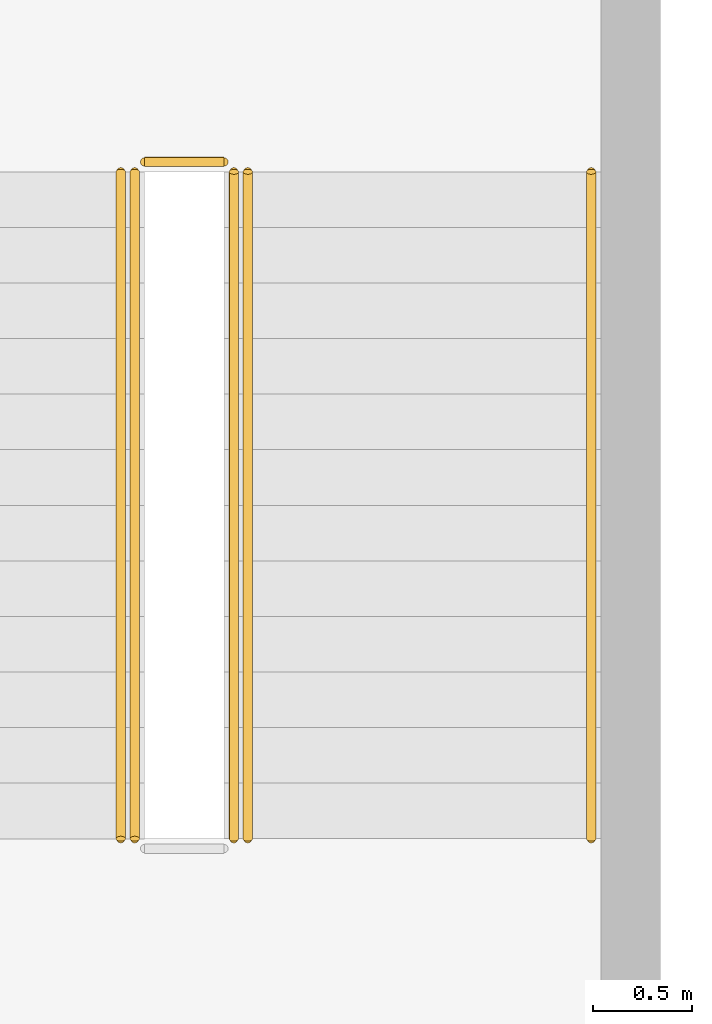
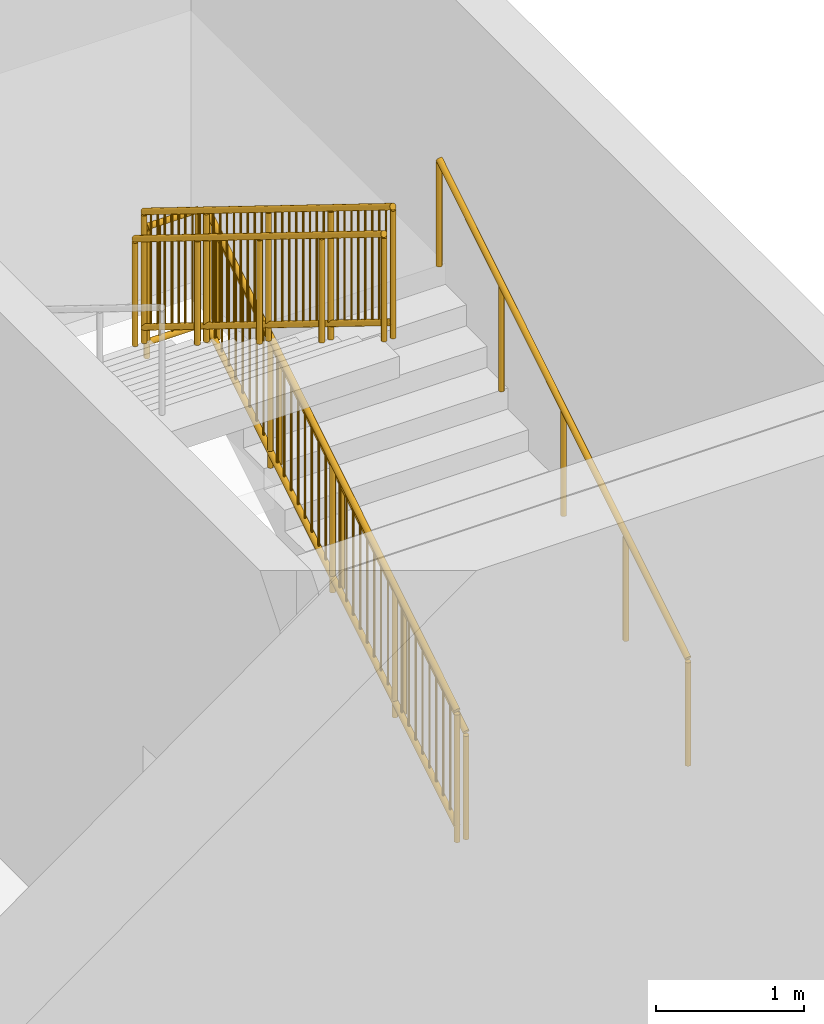
# One storey, part 70 of 74: 6 railings.
"""IFC4 building model written with IfcOpenShell, lengths in metres."""

from ifc_helpers import new_model, si_unit, direction, frame, origin, origin_2d, place, context, subcontext, project, spatial, circle, extrude, material, type_object, element, save


model = new_model("IFC4")

# Units and contexts
model_context = context("Model", 3, precision=1e-05, world=origin(), true_north=direction((0.0, 1.0)))
body_context = subcontext(model_context, "Body", "Model", "MODEL_VIEW")
ifc_project = project(units=[si_unit("LENGTHUNIT", "METRE"), si_unit("AREAUNIT", "SQUARE_METRE"), si_unit("VOLUMEUNIT", "CUBIC_METRE"), si_unit("PLANEANGLEUNIT", "RADIAN"), si_unit("MASSUNIT", "GRAM", prefix="KILO")], contexts=[model_context])

# Site, building, storey
site_placement = place(None, origin())
site = spatial("IfcSite", under=ifc_project, at=site_placement, CompositionType="ELEMENT")
building_placement = place(site_placement, origin())
building = spatial("IfcBuilding", under=site, at=building_placement, Name="Hortulan Conservatory and Botanical Research Centre", CompositionType="ELEMENT")
storey_placement = place(building_placement, frame((0.0, 0.0, 6.0)))
storey = spatial("IfcBuildingStorey", under=building, at=storey_placement, Name="L01", CompositionType="ELEMENT", Elevation=6.0)

# Railings
ifc_material_1 = material(Name="Steel balustrade, bronze-charcoal paint", Category="steel")
railing_type_1 = type_object("IfcRailingType", Name="Stair Guard 1100", PredefinedType="GUARDRAIL", material=ifc_material_1)
railing_1_placement = place(storey_placement, frame((106.0, 38.050048828125, 0.173095703125)))
element("IfcRailing", 1, at=railing_1_placement, inside=storey, type_object=railing_type_1, Name="Guard A2 L01 stair 1", PredefinedType="GUARDRAIL", context=body_context, shape_type="SweptSolid", body=[
    extrude(circle(Radius=0.02392578125, at=origin_2d()), frame((0.0, 0.0, 1.076171875), z_axis=(0.0, 0.850606129759, 0.525803396734), x_axis=(-1.0, 0.0, 0.0)), (0.0, 0.0, 1.0), 3.949951171875),
    extrude(circle(Radius=0.02392578125, at=origin_2d()), frame((0.0, 0.0, 0.1240234375), z_axis=(0.0, 0.850606129759, 0.525803396734), x_axis=(-1.0, 0.0, 0.0)), (0.0, 0.0, 1.0), 3.949951171875),
    extrude(circle(Radius=0.008056640625, at=origin_2d()), frame((0.0, 0.09326171875, 0.205810546875)), (0.0, 0.0, 1.0), 0.90380859375),
    extrude(circle(Radius=0.008056640625, at=origin_2d()), frame((0.0, 0.186767578125, 0.263671875)), (0.0, 0.0, 1.0), 0.90380859375),
    extrude(circle(Radius=0.008056640625, at=origin_2d()), frame((0.0, 0.280029296875, 0.3212890625)), (0.0, 0.0, 1.0), 0.90380859375),
    extrude(circle(Radius=0.008056640625, at=origin_2d()), frame((0.0, 0.373291015625, 0.37890625)), (0.0, 0.0, 1.0), 0.90380859375),
    extrude(circle(Radius=0.008056640625, at=origin_2d()), frame((0.0, 0.466552734375, 0.436767578125)), (0.0, 0.0, 1.0), 0.90380859375),
    extrude(circle(Radius=0.008056640625, at=origin_2d()), frame((0.0, 0.56005859375, 0.494384765625)), (0.0, 0.0, 1.0), 0.90380859375),
    extrude(circle(Radius=0.008056640625, at=origin_2d()), frame((0.0, 0.6533203125, 0.552001953125)), (0.0, 0.0, 1.0), 0.90380859375),
    extrude(circle(Radius=0.008056640625, at=origin_2d()), frame((0.0, 0.74658203125, 0.609619140625)), (0.0, 0.0, 1.0), 0.90380859375),
    extrude(circle(Radius=0.008056640625, at=origin_2d()), frame((0.0, 0.83984375, 0.66748046875)), (0.0, 0.0, 1.0), 0.90380859375),
    extrude(circle(Radius=0.008056640625, at=origin_2d()), frame((0.0, 0.933349609375, 0.72509765625)), (0.0, 0.0, 1.0), 0.90380859375),
    extrude(circle(Radius=0.008056640625, at=origin_2d()), frame((0.0, 1.026611328125, 0.78271484375)), (0.0, 0.0, 1.0), 0.90380859375),
    extrude(circle(Radius=0.008056640625, at=origin_2d()), frame((0.0, 1.119873046875, 0.840576171875)), (0.0, 0.0, 1.0), 0.90380859375),
    extrude(circle(Radius=0.008056640625, at=origin_2d()), frame((0.0, 1.21337890625, 0.898193359375)), (0.0, 0.0, 1.0), 0.90380859375),
    extrude(circle(Radius=0.008056640625, at=origin_2d()), frame((0.0, 1.306640625, 0.955810546875)), (0.0, 0.0, 1.0), 0.90380859375),
    extrude(circle(Radius=0.008056640625, at=origin_2d()), frame((0.0, 1.39990234375, 1.013671875)), (0.0, 0.0, 1.0), 0.90380859375),
    extrude(circle(Radius=0.008056640625, at=origin_2d()), frame((0.0, 1.4931640625, 1.0712890625)), (0.0, 0.0, 1.0), 0.90380859375),
    extrude(circle(Radius=0.008056640625, at=origin_2d()), frame((0.0, 1.586669921875, 1.12890625)), (0.0, 0.0, 1.0), 0.90380859375),
    extrude(circle(Radius=0.008056640625, at=origin_2d()), frame((0.0, 1.679931640625, 1.1865234375)), (0.0, 0.0, 1.0), 0.90380859375),
    extrude(circle(Radius=0.008056640625, at=origin_2d()), frame((0.0, 1.773193359375, 1.244384765625)), (0.0, 0.0, 1.0), 0.90380859375),
    extrude(circle(Radius=0.008056640625, at=origin_2d()), frame((0.0, 1.86669921875, 1.302001953125)), (0.0, 0.0, 1.0), 0.90380859375),
    extrude(circle(Radius=0.008056640625, at=origin_2d()), frame((0.0, 1.9599609375, 1.359619140625)), (0.0, 0.0, 1.0), 0.90380859375),
    extrude(circle(Radius=0.008056640625, at=origin_2d()), frame((0.0, 2.05322265625, 1.41748046875)), (0.0, 0.0, 1.0), 0.90380859375),
    extrude(circle(Radius=0.008056640625, at=origin_2d()), frame((0.0, 2.146484375, 1.47509765625)), (0.0, 0.0, 1.0), 0.90380859375),
    extrude(circle(Radius=0.008056640625, at=origin_2d()), frame((0.0, 2.239990234375, 1.53271484375)), (0.0, 0.0, 1.0), 0.90380859375),
    extrude(circle(Radius=0.008056640625, at=origin_2d()), frame((0.0, 2.333251953125, 1.590576171875)), (0.0, 0.0, 1.0), 0.90380859375),
    extrude(circle(Radius=0.008056640625, at=origin_2d()), frame((0.0, 2.426513671875, 1.648193359375)), (0.0, 0.0, 1.0), 0.90380859375),
    extrude(circle(Radius=0.008056640625, at=origin_2d()), frame((0.0, 2.52001953125, 1.705810546875)), (0.0, 0.0, 1.0), 0.90380859375),
    extrude(circle(Radius=0.008056640625, at=origin_2d()), frame((0.0, 2.61328125, 1.763671875)), (0.0, 0.0, 1.0), 0.90380859375),
    extrude(circle(Radius=0.008056640625, at=origin_2d()), frame((0.0, 2.70654296875, 1.8212890625)), (0.0, 0.0, 1.0), 0.90380859375),
    extrude(circle(Radius=0.008056640625, at=origin_2d()), frame((0.0, 2.7998046875, 1.87890625)), (0.0, 0.0, 1.0), 0.90380859375),
    extrude(circle(Radius=0.008056640625, at=origin_2d()), frame((0.0, 2.893310546875, 1.9365234375)), (0.0, 0.0, 1.0), 0.90380859375),
    extrude(circle(Radius=0.008056640625, at=origin_2d()), frame((0.0, 2.986572265625, 1.994384765625)), (0.0, 0.0, 1.0), 0.90380859375),
    extrude(circle(Radius=0.008056640625, at=origin_2d()), frame((0.0, 3.079833984375, 2.052001953125)), (0.0, 0.0, 1.0), 0.90380859375),
    extrude(circle(Radius=0.008056640625, at=origin_2d()), frame((0.0, 3.173095703125, 2.109619140625)), (0.0, 0.0, 1.0), 0.90380859375),
    extrude(circle(Radius=0.008056640625, at=origin_2d()), frame((0.0, 3.2666015625, 2.16748046875)), (0.0, 0.0, 1.0), 0.90380859375),
    extrude(circle(Radius=0.02099609375, at=origin_2d()), origin(), (0.0, 0.0, 1.0), 1.052001953125),
    extrude(circle(Radius=0.02099609375, at=origin_2d()), frame((0.0, 0.83984375, 0.519287109375)), (0.0, 0.0, 1.0), 1.052001953125),
    extrude(circle(Radius=0.02099609375, at=origin_2d()), frame((0.0, 1.679931640625, 1.03857421875)), (0.0, 0.0, 1.0), 1.052001953125),
    extrude(circle(Radius=0.02099609375, at=origin_2d()), frame((0.0, 2.52001953125, 1.5576171875)), (0.0, 0.0, 1.0), 1.052001953125),
    extrude(circle(Radius=0.02099609375, at=origin_2d()), frame((0.0, 3.35986328125, 2.076904296875)), (0.0, 0.0, 1.0), 1.052001953125),
])
railing_2_placement = place(storey_placement, frame((105.949951171875, 41.4599609375, 2.25)))
element("IfcRailing", 2, at=railing_2_placement, inside=storey, type_object=railing_type_1, Name="Guard A2 L01 stair 2", PredefinedType="GUARDRAIL", context=body_context, shape_type="SweptSolid", body=[
    extrude(circle(Radius=0.02392578125, at=origin_2d()), frame((0.0, 0.0, 1.076171875), z_axis=(-1.0, 0.0, 0.0), x_axis=(0.0, -1.0, 0.0)), (0.0, 0.0, 1.0), 0.39990234375),
    extrude(circle(Radius=0.02392578125, at=origin_2d()), frame((0.0, 0.0, 0.1240234375), z_axis=(-1.0, 0.0, 0.0), x_axis=(0.0, -1.0, 0.0)), (0.0, 0.0, 1.0), 0.39990234375),
    extrude(circle(Radius=0.008056640625, at=origin_2d()), frame((-0.10009765625, 0.0, 0.148193359375)), (0.0, 0.0, 1.0), 0.90380859375),
    extrude(circle(Radius=0.008056640625, at=origin_2d()), frame((-0.199951171875, 0.0, 0.148193359375)), (0.0, 0.0, 1.0), 0.90380859375),
    extrude(circle(Radius=0.008056640625, at=origin_2d()), frame((-0.2998046875, 0.0, 0.148193359375)), (0.0, 0.0, 1.0), 0.90380859375),
    extrude(circle(Radius=0.02099609375, at=origin_2d()), origin(), (0.0, 0.0, 1.0), 1.052001953125),
    extrude(circle(Radius=0.02099609375, at=origin_2d()), frame((-0.39990234375, 0.0, 0.0)), (0.0, 0.0, 1.0), 1.052001953125),
])
railing_3_placement = place(storey_placement, frame((105.5, 41.409912109375, 2.423095703125)))
element("IfcRailing", 3, at=railing_3_placement, inside=storey, type_object=railing_type_1, Name="Guard A2 L01 stair 3", PredefinedType="GUARDRAIL", context=body_context, shape_type="SweptSolid", body=[
    extrude(circle(Radius=0.02392578125, at=origin_2d()), frame((0.0, 0.0, 1.076171875), z_axis=(0.0, -0.850606129759, 0.525803396734), x_axis=(1.0, 0.0, 0.0)), (0.0, 0.0, 1.0), 3.949951171875),
    extrude(circle(Radius=0.02392578125, at=origin_2d()), frame((0.0, 0.0, 0.1240234375), z_axis=(0.0, -0.850606129759, 0.525803396734), x_axis=(1.0, 0.0, 0.0)), (0.0, 0.0, 1.0), 3.949951171875),
    extrude(circle(Radius=0.008056640625, at=origin_2d()), frame((0.0, -0.09326171875, 0.205810546875)), (0.0, 0.0, 1.0), 0.90380859375),
    extrude(circle(Radius=0.008056640625, at=origin_2d()), frame((0.0, -0.186767578125, 0.263671875)), (0.0, 0.0, 1.0), 0.90380859375),
    extrude(circle(Radius=0.008056640625, at=origin_2d()), frame((0.0, -0.280029296875, 0.3212890625)), (0.0, 0.0, 1.0), 0.90380859375),
    extrude(circle(Radius=0.008056640625, at=origin_2d()), frame((0.0, -0.373291015625, 0.37890625)), (0.0, 0.0, 1.0), 0.90380859375),
    extrude(circle(Radius=0.008056640625, at=origin_2d()), frame((0.0, -0.466552734375, 0.436767578125)), (0.0, 0.0, 1.0), 0.90380859375),
    extrude(circle(Radius=0.008056640625, at=origin_2d()), frame((0.0, -0.56005859375, 0.494384765625)), (0.0, 0.0, 1.0), 0.90380859375),
    extrude(circle(Radius=0.008056640625, at=origin_2d()), frame((0.0, -0.6533203125, 0.552001953125)), (0.0, 0.0, 1.0), 0.90380859375),
    extrude(circle(Radius=0.008056640625, at=origin_2d()), frame((0.0, -0.74658203125, 0.609619140625)), (0.0, 0.0, 1.0), 0.90380859375),
    extrude(circle(Radius=0.008056640625, at=origin_2d()), frame((0.0, -0.83984375, 0.66748046875)), (0.0, 0.0, 1.0), 0.90380859375),
    extrude(circle(Radius=0.008056640625, at=origin_2d()), frame((0.0, -0.933349609375, 0.72509765625)), (0.0, 0.0, 1.0), 0.90380859375),
    extrude(circle(Radius=0.008056640625, at=origin_2d()), frame((0.0, -1.026611328125, 0.78271484375)), (0.0, 0.0, 1.0), 0.90380859375),
    extrude(circle(Radius=0.008056640625, at=origin_2d()), frame((0.0, -1.119873046875, 0.840576171875)), (0.0, 0.0, 1.0), 0.90380859375),
    extrude(circle(Radius=0.008056640625, at=origin_2d()), frame((0.0, -1.21337890625, 0.898193359375)), (0.0, 0.0, 1.0), 0.90380859375),
    extrude(circle(Radius=0.008056640625, at=origin_2d()), frame((0.0, -1.306640625, 0.955810546875)), (0.0, 0.0, 1.0), 0.90380859375),
    extrude(circle(Radius=0.008056640625, at=origin_2d()), frame((0.0, -1.39990234375, 1.013671875)), (0.0, 0.0, 1.0), 0.90380859375),
    extrude(circle(Radius=0.008056640625, at=origin_2d()), frame((0.0, -1.4931640625, 1.0712890625)), (0.0, 0.0, 1.0), 0.90380859375),
    extrude(circle(Radius=0.008056640625, at=origin_2d()), frame((0.0, -1.586669921875, 1.12890625)), (0.0, 0.0, 1.0), 0.90380859375),
    extrude(circle(Radius=0.008056640625, at=origin_2d()), frame((0.0, -1.679931640625, 1.1865234375)), (0.0, 0.0, 1.0), 0.90380859375),
    extrude(circle(Radius=0.008056640625, at=origin_2d()), frame((0.0, -1.773193359375, 1.244384765625)), (0.0, 0.0, 1.0), 0.90380859375),
    extrude(circle(Radius=0.008056640625, at=origin_2d()), frame((0.0, -1.86669921875, 1.302001953125)), (0.0, 0.0, 1.0), 0.90380859375),
    extrude(circle(Radius=0.008056640625, at=origin_2d()), frame((0.0, -1.9599609375, 1.359619140625)), (0.0, 0.0, 1.0), 0.90380859375),
    extrude(circle(Radius=0.008056640625, at=origin_2d()), frame((0.0, -2.05322265625, 1.41748046875)), (0.0, 0.0, 1.0), 0.90380859375),
    extrude(circle(Radius=0.008056640625, at=origin_2d()), frame((0.0, -2.146484375, 1.47509765625)), (0.0, 0.0, 1.0), 0.90380859375),
    extrude(circle(Radius=0.008056640625, at=origin_2d()), frame((0.0, -2.239990234375, 1.53271484375)), (0.0, 0.0, 1.0), 0.90380859375),
    extrude(circle(Radius=0.008056640625, at=origin_2d()), frame((0.0, -2.333251953125, 1.590576171875)), (0.0, 0.0, 1.0), 0.90380859375),
    extrude(circle(Radius=0.008056640625, at=origin_2d()), frame((0.0, -2.426513671875, 1.648193359375)), (0.0, 0.0, 1.0), 0.90380859375),
    extrude(circle(Radius=0.008056640625, at=origin_2d()), frame((0.0, -2.52001953125, 1.705810546875)), (0.0, 0.0, 1.0), 0.90380859375),
    extrude(circle(Radius=0.008056640625, at=origin_2d()), frame((0.0, -2.61328125, 1.763671875)), (0.0, 0.0, 1.0), 0.90380859375),
    extrude(circle(Radius=0.008056640625, at=origin_2d()), frame((0.0, -2.70654296875, 1.8212890625)), (0.0, 0.0, 1.0), 0.90380859375),
    extrude(circle(Radius=0.008056640625, at=origin_2d()), frame((0.0, -2.7998046875, 1.87890625)), (0.0, 0.0, 1.0), 0.90380859375),
    extrude(circle(Radius=0.008056640625, at=origin_2d()), frame((0.0, -2.893310546875, 1.9365234375)), (0.0, 0.0, 1.0), 0.90380859375),
    extrude(circle(Radius=0.008056640625, at=origin_2d()), frame((0.0, -2.986572265625, 1.994384765625)), (0.0, 0.0, 1.0), 0.90380859375),
    extrude(circle(Radius=0.008056640625, at=origin_2d()), frame((0.0, -3.079833984375, 2.052001953125)), (0.0, 0.0, 1.0), 0.90380859375),
    extrude(circle(Radius=0.008056640625, at=origin_2d()), frame((0.0, -3.173095703125, 2.109619140625)), (0.0, 0.0, 1.0), 0.90380859375),
    extrude(circle(Radius=0.008056640625, at=origin_2d()), frame((0.0, -3.2666015625, 2.16748046875)), (0.0, 0.0, 1.0), 0.90380859375),
    extrude(circle(Radius=0.02099609375, at=origin_2d()), origin(), (0.0, 0.0, 1.0), 1.052001953125),
    extrude(circle(Radius=0.02099609375, at=origin_2d()), frame((0.0, -0.83984375, 0.519287109375)), (0.0, 0.0, 1.0), 1.052001953125),
    extrude(circle(Radius=0.02099609375, at=origin_2d()), frame((0.0, -1.679931640625, 1.03857421875)), (0.0, 0.0, 1.0), 1.052001953125),
    extrude(circle(Radius=0.02099609375, at=origin_2d()), frame((0.0, -2.52001953125, 1.5576171875)), (0.0, 0.0, 1.0), 1.052001953125),
    extrude(circle(Radius=0.02099609375, at=origin_2d()), frame((0.0, -3.35986328125, 2.076904296875)), (0.0, 0.0, 1.0), 1.052001953125),
])
ifc_material_2 = material(Name="Bronze handrail, polished", Category="metal")
railing_type_2 = type_object("IfcRailingType", Name="Stair Handrail 900", PredefinedType="HANDRAIL", material=ifc_material_2)
for number, where, name in (
    (4, (107.800048828125, 38.050048828125, 0.173095703125), "Handrail A2 L01 stair 1"),
    (5, (106.070068359375, 38.050048828125, 0.173095703125), "Handrail A2 L01 stair 3"),
):
    element("IfcRailing", number, at=place(storey_placement, frame(where)), inside=storey, type_object=railing_type_2, Name=name, PredefinedType="HANDRAIL", context=body_context, shape_type="SweptSolid", body=[
        extrude(circle(Radius=0.02392578125, at=origin_2d()), frame((0.0, 0.0, 0.8759765625), z_axis=(0.0, 0.850606129759, 0.525803396734), x_axis=(-1.0, 0.0, 0.0)), (0.0, 0.0, 1.0), 3.949951171875),
        extrude(circle(Radius=0.02099609375, at=origin_2d()), origin(), (0.0, 0.0, 1.0), 0.851806640625),
        extrude(circle(Radius=0.02099609375, at=origin_2d()), frame((0.0, 0.83984375, 0.519287109375)), (0.0, 0.0, 1.0), 0.851806640625),
        extrude(circle(Radius=0.02099609375, at=origin_2d()), frame((0.0, 1.679931640625, 1.03857421875)), (0.0, 0.0, 1.0), 0.851806640625),
        extrude(circle(Radius=0.02099609375, at=origin_2d()), frame((0.0, 2.52001953125, 1.5576171875)), (0.0, 0.0, 1.0), 0.851806640625),
        extrude(circle(Radius=0.02099609375, at=origin_2d()), frame((0.0, 3.35986328125, 2.076904296875)), (0.0, 0.0, 1.0), 0.851806640625),
    ])
railing_4_placement = place(storey_placement, frame((105.429931640625, 41.409912109375, 2.423095703125)))
element("IfcRailing", 6, at=railing_4_placement, inside=storey, type_object=railing_type_2, Name="Handrail A2 L01 stair 4", PredefinedType="HANDRAIL", context=body_context, shape_type="SweptSolid", body=[
    extrude(circle(Radius=0.02392578125, at=origin_2d()), frame((0.0, 0.0, 0.8759765625), z_axis=(0.0, -0.850606129759, 0.525803396734), x_axis=(1.0, 0.0, 0.0)), (0.0, 0.0, 1.0), 3.949951171875),
    extrude(circle(Radius=0.02099609375, at=origin_2d()), origin(), (0.0, 0.0, 1.0), 0.851806640625),
    extrude(circle(Radius=0.02099609375, at=origin_2d()), frame((0.0, -0.83984375, 0.519287109375)), (0.0, 0.0, 1.0), 0.851806640625),
    extrude(circle(Radius=0.02099609375, at=origin_2d()), frame((0.0, -1.679931640625, 1.03857421875)), (0.0, 0.0, 1.0), 0.851806640625),
    extrude(circle(Radius=0.02099609375, at=origin_2d()), frame((0.0, -2.52001953125, 1.5576171875)), (0.0, 0.0, 1.0), 0.851806640625),
    extrude(circle(Radius=0.02099609375, at=origin_2d()), frame((0.0, -3.35986328125, 2.076904296875)), (0.0, 0.0, 1.0), 0.851806640625),
])

save(model, "model.ifc")
